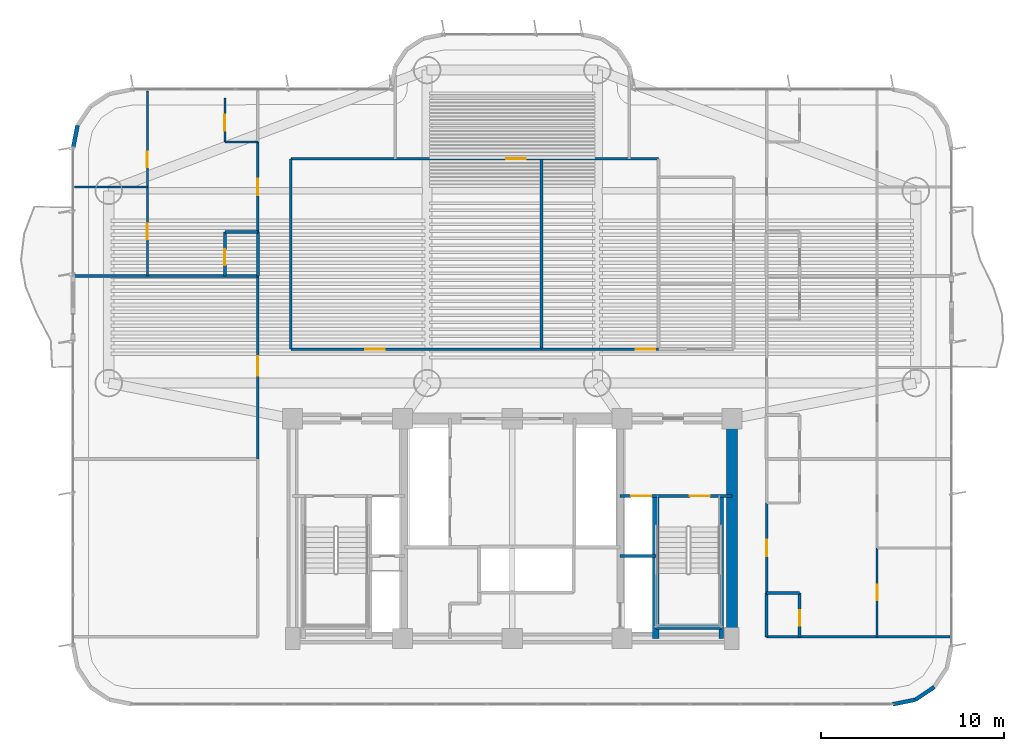
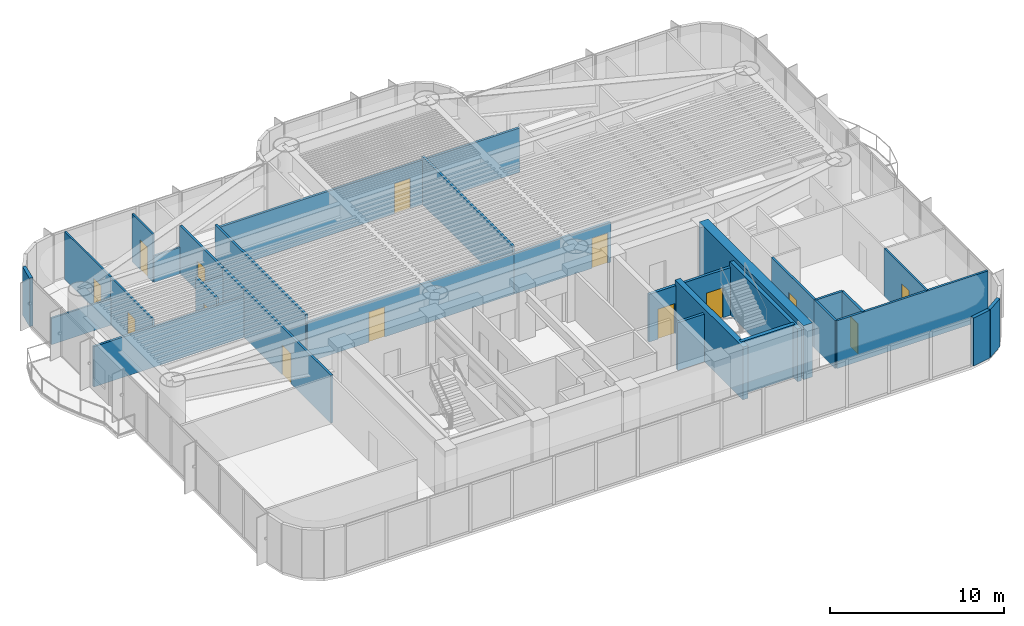
# One storey, part 10 of 17: 31 walls, 14 doors, 14 openings.
"""IFC4 building model written with IfcOpenShell, lengths in metres."""

from ifc_helpers import new_model, si_unit, direction, frame, frame_2d, origin, origin_2d, place, context, subcontext, project, spatial, rectangle, extrude, source, transform, mapped, material, layer, layer_set, type_object, element, fill, save


model = new_model("IFC4")

# Units and contexts
model_context = context("Model", 3, precision=1e-05, world=origin(), true_north=direction((0.0, 1.0)))
body_context = subcontext(model_context, "Body", "Model", "MODEL_VIEW")
ifc_project = project(units=[si_unit("LENGTHUNIT", "METRE"), si_unit("AREAUNIT", "SQUARE_METRE"), si_unit("VOLUMEUNIT", "CUBIC_METRE"), si_unit("PLANEANGLEUNIT", "RADIAN"), si_unit("MASSUNIT", "GRAM", prefix="KILO")], contexts=[model_context])

# Site, building, storey
site_placement = place(None, origin())
site = spatial("IfcSite", under=ifc_project, at=site_placement, CompositionType="ELEMENT")
building_placement = place(site_placement, origin())
building = spatial("IfcBuilding", under=site, at=building_placement, Name="Brelvock Crest Care Tower", CompositionType="ELEMENT")
storey_placement = place(building_placement, frame((0.0, 0.0, 76.139892578125)))
storey = spatial("IfcBuildingStorey", under=building, at=storey_placement, Name="L19", CompositionType="ELEMENT", Elevation=76.139892578125)

# Walls
ifc_material_1 = material(Name="Concrete S80 (80 MPa)", Category="concrete")
ifc_layer_1 = layer(ifc_material_1, 0.60009765625, Name="WL-CS1")
ifc_layer_set_1 = layer_set([ifc_layer_1], Name="Concrete S80 (80 MPa)")
wall_type_1 = type_object("IfcWallType", Name="WL-CS1", PredefinedType="SHEAR", material=ifc_layer_set_1)
wall_1_placement = place(storey_placement, frame((48.0, 18.0, 0.0), z_axis=(0.0, 0.0, 1.0), x_axis=(0.0, -1.0, 0.0)))
element("IfcWall", 1, at=wall_1_placement, inside=storey, type_object=wall_type_1, Name="L19 Core East Shear Wall", PredefinedType="SHEAR", context=body_context, shape_type="SweptSolid", body=[
    extrude(rectangle(XDim=12.0, YDim=0.60009765625, at=frame_2d((6.0, 0.0))), origin(), (0.0, 0.0, 1.0), 3.780029296875),
])
ifc_layer_2 = layer(ifc_material_1, 0.35009765625, Name="WL-CS5")
ifc_layer_set_2 = layer_set([ifc_layer_2], Name="Concrete S80 (80 MPa)")
wall_type_2 = type_object("IfcWallType", Name="WL-CS5", PredefinedType="SHEAR", material=ifc_layer_set_2)
wall_2_placement = place(storey_placement, frame((43.85009765625, 6.0, 0.0), z_axis=(0.0, 0.0, 1.0), x_axis=(0.0, 1.0, 0.0)))
element("IfcWall", 2, at=wall_2_placement, inside=storey, type_object=wall_type_2, Name="L19 Core Stair ST-2 West Shear Wall", PredefinedType="SHEAR", context=body_context, shape_type="SweptSolid", body=[
    extrude(rectangle(XDim=7.780029296875, YDim=0.35009765625, at=frame_2d((3.89013671875, 0.0))), origin(), (0.0, 0.0, 1.0), 3.692138671875),
])
ifc_layer_3 = layer(ifc_material_1, 0.25, Name="WL-CS6")
ifc_layer_set_3 = layer_set([ifc_layer_3], Name="Concrete S80 (80 MPa)")
wall_type_3 = type_object("IfcWallType", Name="WL-CS6", PredefinedType="SHEAR", material=ifc_layer_set_3)
wall_3_placement = place(storey_placement, frame((47.419921875, 6.0, 0.0), z_axis=(0.0, 0.0, 1.0), x_axis=(0.0, 1.0, 0.0)))
element("IfcWall", 3, at=wall_3_placement, inside=storey, type_object=wall_type_3, Name="L19 Core Stair ST-2 East Shear Wall", PredefinedType="SHEAR", context=body_context, shape_type="SweptSolid", body=[
    extrude(rectangle(XDim=7.780029296875, YDim=0.25, at=frame_2d((3.89013671875, 0.0))), origin(), (0.0, 0.0, 1.0), 3.692138671875),
])
wall_4_placement = place(storey_placement, frame((43.85009765625, 6.6201171875, 0.0), z_axis=(0.0, 0.0, 1.0), x_axis=(1.0, 0.0, 0.0)))
element("IfcWall", 4, at=wall_4_placement, inside=storey, type_object=wall_type_3, Name="L19 Core Stair ST-2 South Shear Wall", PredefinedType="SHEAR", context=body_context, shape_type="SweptSolid", body=[
    extrude(rectangle(XDim=3.56982421875, YDim=0.25, at=frame_2d((1.784912109375, 0.0))), origin(), (0.0, 0.0, 1.0), 3.692138671875),
])
ifc_material_2 = material(Name="Precast concrete N40 (40 MPa)", Category="concrete")
ifc_layer_4 = layer(ifc_material_2, 0.215087890625, Name="WL-EX2")
ifc_layer_set_4 = layer_set([ifc_layer_4], Name="Precast concrete N40 (40 MPa)")
wall_type_4 = type_object("IfcWallType", Name="WL-EX2", PredefinedType="SOLIDWALL", material=ifc_layer_set_4)
for number, where, z_axis, x_axis, name in (
    (5, (59.062744140625, 3.33740234375, 0.0), (0.0, 0.0, 1.0), (-0.831387912822, -0.555692485475, 0.0), "L19 Rounded Corner Wall 06"),
    (6, (58.024658203125, 2.6435546875, 0.0), (0.0, 0.0, 1.0), (-0.980775717779, -0.195138390419, 0.0), "L19 Rounded Corner Wall 07"),
    (7, (12.0, 32.800048828125, 0.0), (0.0, 0.0, 1.0), (0.195138390419, 0.980775717779, 0.0), "L19 Rounded Corner Wall 14"),
):
    element("IfcWall", number, at=place(storey_placement, frame(where, z_axis=z_axis, x_axis=x_axis)), inside=storey, type_object=wall_type_4, Name=name, PredefinedType="SOLIDWALL", context=body_context, shape_type="SweptSolid", body=[
        extrude(rectangle(XDim=1.24853515625, YDim=0.215087890625, at=frame_2d((0.624267578125, 0.0))), origin(), (0.0, 0.0, 1.0), 3.3720703125),
    ])
ifc_material_3 = material(Name="Masonry Blockwork Acoustic Partition", Category="masonry")
ifc_layer_5 = layer(ifc_material_3, 0.14990234375, Name="WL-INT1")
ifc_layer_set_5 = layer_set([ifc_layer_5], Name="Masonry Blockwork Acoustic Partition")
wall_type_5 = type_object("IfcWallType", Name="WL-INT1", PredefinedType="PARTITIONING", material=ifc_layer_set_5)
wall_5_placement = place(storey_placement, frame((49.89990234375, 6.080078125, 0.0), z_axis=(0.0, 0.0, 1.0), x_axis=(1.0, 0.0, 0.0)))
element("IfcWall", 8, at=wall_5_placement, inside=storey, type_object=wall_type_5, Name="L19 Interior Wall WL-BX-L19-FL-EW1-S", PredefinedType="PARTITIONING", context=body_context, shape_type="SweptSolid", body=[
    extrude(rectangle(XDim=10.02001953125, YDim=0.14990234375, at=frame_2d((5.010009765625, 0.0))), origin(), (0.0, 0.0, 1.0), 3.342041015625),
])

# Wall, opening, door
wall_6_placement = place(storey_placement, frame((23.89990234375, 21.800048828125, 0.0), z_axis=(0.0, 0.0, 1.0), x_axis=(1.0, 0.0, 0.0)))
wall_6 = element("IfcWall", 9, at=wall_6_placement, inside=storey, type_object=wall_type_5, Name="L19 Interior Wall WL-RM-L19-CNW", PredefinedType="PARTITIONING", context=body_context, shape_type="SweptSolid", body=[
    extrude(rectangle(XDim=13.7001953125, YDim=0.14990234375, at=frame_2d((6.85009765625, 0.0))), origin(), (0.0, 0.0, 1.0), 2.82421875),
])
opening_1_placement = place(wall_6_placement, frame((4.074951171875, 0.0, 0.0)))
opening_1 = element("IfcOpeningElement", 10, at=opening_1_placement, cuts=wall_6, Name="Opening CLD-1", PredefinedType="OPENING", context=body_context, shape_type="SweptSolid", body=[
    extrude(rectangle(XDim=1.050048828125, YDim=2.10009765625, at=origin_2d()), frame((0.52490234375, 0.0849609375, 1.050048828125), z_axis=(0.0, -1.0, 0.0), x_axis=(1.0, 0.0, 0.0)), (0.0, 0.0, 1.0), 0.169921875),
])
ifc_material_4 = material(Name="Engineered Hardwood Timber", Category="wood")
door_type_1 = type_object("IfcDoorType", Name="DR-CLN1", OperationType="NOTDEFINED", PredefinedType="DOOR", material=ifc_material_4)
shared_shape_1 = source(origin(), body_context, "Body", "SweptSolid", [
    extrude(rectangle(XDim=1.050048828125, YDim=2.10009765625, at=origin_2d()), frame((0.52490234375, 0.02490234375, 1.050048828125), z_axis=(0.0, -1.0, 0.0), x_axis=(1.0, 0.0, 0.0)), (0.0, 0.0, 1.0), 0.050048828125),
])
door_1_placement = place(opening_1_placement, origin())
door_1 = element("IfcDoor", 11, at=door_1_placement, inside=storey, type_object=door_type_1, Name="L19 Communal Dining Conservatory Door CNW", OperationType="SINGLE_SWING_LEFT", OverallHeight=2.10009765625, OverallWidth=1.050048828125, PredefinedType="DOOR", context=body_context, shape_type="MappedRepresentation", body=[
    mapped(shared_shape_1, transform((0.0, 0.0, 0.0), x_axis=(1.0, 0.0, 0.0), y_axis=(0.0, 1.0, 0.0), z_axis=(0.0, 0.0, 1.0), scale=1.0)),
])
fill(opening_1, door_1)

wall_7_placement = place(storey_placement, frame((37.60009765625, 21.800048828125, 0.0), z_axis=(0.0, 0.0, 1.0), x_axis=(1.0, 0.0, 0.0)))
wall_7 = element("IfcWall", 12, at=wall_7_placement, inside=storey, type_object=wall_type_5, Name="L19 Interior Wall WL-RM-L19-CNE", PredefinedType="PARTITIONING", context=body_context, shape_type="SweptSolid", body=[
    extrude(rectangle(XDim=6.39990234375, YDim=0.14990234375, at=frame_2d((3.199951171875, 0.0))), origin(), (0.0, 0.0, 1.0), 2.82421875),
])
opening_2_placement = place(wall_7_placement, frame((5.155029296875, 0.0, 0.0)))
opening_2 = element("IfcOpeningElement", 13, at=opening_2_placement, cuts=wall_7, Name="Opening CLD-1", PredefinedType="OPENING", context=body_context, shape_type="SweptSolid", body=[
    extrude(rectangle(XDim=1.050048828125, YDim=2.10009765625, at=origin_2d()), frame((0.52490234375, 0.0849609375, 1.050048828125), z_axis=(0.0, -1.0, 0.0), x_axis=(1.0, 0.0, 0.0)), (0.0, 0.0, 1.0), 0.169921875),
])
door_2_placement = place(opening_2_placement, origin())
door_2 = element("IfcDoor", 14, at=door_2_placement, inside=storey, type_object=door_type_1, Name="L19 Geriatric Nurse Consultation Hub Door CNE", OperationType="SINGLE_SWING_LEFT", OverallHeight=2.10009765625, OverallWidth=1.050048828125, PredefinedType="DOOR", context=body_context, shape_type="MappedRepresentation", body=[
    mapped(shared_shape_1, transform((0.0, 0.0, 0.0), x_axis=(1.0, 0.0, 0.0), y_axis=(0.0, 1.0, 0.0), z_axis=(0.0, 0.0, 1.0), scale=1.0)),
])
fill(opening_2, door_2)

# Wall
wall_8_placement = place(storey_placement, frame((12.080078125, 25.800048828125, 0.0), z_axis=(0.0, 0.0, 1.0), x_axis=(1.0, 0.0, 0.0)))
element("IfcWall", 15, at=wall_8_placement, inside=storey, type_object=wall_type_5, Name="L19 Interior Wall WL-BX-L19-FL-WW3-S", PredefinedType="PARTITIONING", context=body_context, shape_type="SweptSolid", body=[
    extrude(rectangle(XDim=10.02001953125, YDim=0.14990234375, at=frame_2d((5.010009765625, 0.0))), origin(), (0.0, 0.0, 1.0), 2.82421875),
])

# Wall, opening, door
wall_9_placement = place(storey_placement, frame((23.89990234375, 32.199951171875, 0.0), z_axis=(0.0, 0.0, 1.0), x_axis=(1.0, 0.0, 0.0)))
wall_9 = element("IfcWall", 16, at=wall_9_placement, inside=storey, type_object=wall_type_5, Name="L19 Interior Wall WL-RM-L19-NHUB", PredefinedType="PARTITIONING", context=body_context, shape_type="SweptSolid", body=[
    extrude(rectangle(XDim=20.10009765625, YDim=0.14990234375, at=frame_2d((10.050048828125, 0.0))), origin(), (0.0, 0.0, 1.0), 3.10107421875),
])
opening_3_placement = place(wall_9_placement, frame((11.77490234375, 0.0, 0.0)))
opening_3 = element("IfcOpeningElement", 17, at=opening_3_placement, cuts=wall_9, Name="Opening CLD-1", PredefinedType="OPENING", context=body_context, shape_type="SweptSolid", body=[
    extrude(rectangle(XDim=1.050048828125, YDim=2.10009765625, at=origin_2d()), frame((0.52490234375, 0.0849609375, 1.050048828125), z_axis=(0.0, -1.0, 0.0), x_axis=(1.0, 0.0, 0.0)), (0.0, 0.0, 1.0), 0.169921875),
])
door_3_placement = place(opening_3_placement, origin())
door_3 = element("IfcDoor", 18, at=door_3_placement, inside=storey, type_object=door_type_1, Name="L19 Harbour Wintergarden Lounge Door NHUB", OperationType="SINGLE_SWING_LEFT", OverallHeight=2.10009765625, OverallWidth=1.050048828125, PredefinedType="DOOR", context=body_context, shape_type="MappedRepresentation", body=[
    mapped(shared_shape_1, transform((0.0, 0.0, 0.0), x_axis=(1.0, 0.0, 0.0), y_axis=(0.0, 1.0, 0.0), z_axis=(0.0, 0.0, 1.0), scale=1.0)),
])
fill(opening_3, door_3)

wall_10_placement = place(storey_placement, frame((22.10009765625, 15.800048828125, 0.0), z_axis=(0.0, 0.0, 1.0), x_axis=(0.0, 1.0, 0.0)))
wall_10 = element("IfcWall", 19, at=wall_10_placement, inside=storey, type_object=wall_type_5, Name="L19 Interior Wall WL-RM-L19-WWC2", PredefinedType="PARTITIONING", context=body_context, shape_type="SweptSolid", body=[
    extrude(rectangle(XDim=10.0, YDim=0.14990234375, at=frame_2d((5.0, 0.0))), origin(), (0.0, 0.0, 1.0), 3.342041015625),
])
opening_4_placement = place(wall_10_placement, frame((4.554931640625, 0.0, 0.0)))
opening_4 = element("IfcOpeningElement", 20, at=opening_4_placement, cuts=wall_10, Name="Opening CLD-1", PredefinedType="OPENING", context=body_context, shape_type="SweptSolid", body=[
    extrude(rectangle(XDim=1.050048828125, YDim=2.10009765625, at=origin_2d()), frame((0.52490234375, 0.0849609375, 1.050048828125), z_axis=(0.0, -1.0, 0.0), x_axis=(1.0, 0.0, 0.0)), (0.0, 0.0, 1.0), 0.169921875),
])
door_4_placement = place(opening_4_placement, origin())
door_4 = element("IfcDoor", 21, at=door_4_placement, inside=storey, type_object=door_type_1, Name="L19 Geriatric Day Recovery Salon Door WWC2", OperationType="SINGLE_SWING_LEFT", OverallHeight=2.10009765625, OverallWidth=1.050048828125, PredefinedType="DOOR", context=body_context, shape_type="MappedRepresentation", body=[
    mapped(shared_shape_1, transform((0.0, 0.0, 0.0), x_axis=(1.0, 0.0, 0.0), y_axis=(0.0, 1.0, 0.0), z_axis=(0.0, 0.0, 1.0), scale=1.0)),
])
fill(opening_4, door_4)

wall_11_placement = place(storey_placement, frame((22.10009765625, 28.199951171875, 0.0), z_axis=(0.0, 0.0, 1.0), x_axis=(0.0, 1.0, 0.0)))
wall_11 = element("IfcWall", 22, at=wall_11_placement, inside=storey, type_object=wall_type_5, Name="L19 Interior Wall WL-UENT-L19-WW3", PredefinedType="PARTITIONING", context=body_context, shape_type="SweptSolid", body=[
    extrude(rectangle(XDim=4.920166015625, YDim=0.14990234375, at=frame_2d((2.4599609375, 0.0))), origin(), (0.0, 0.0, 1.0), 3.342041015625),
])
opening_5_placement = place(wall_11_placement, frame((2.0, 0.0, 0.0)))
opening_5 = element("IfcOpeningElement", 23, at=opening_5_placement, cuts=wall_11, Name="Opening AD-1", PredefinedType="OPENING", context=body_context, shape_type="SweptSolid", body=[
    extrude(rectangle(XDim=0.919921875, YDim=2.10009765625, at=origin_2d()), frame((0.4599609375, 0.0849609375, 1.050048828125), z_axis=(0.0, -1.0, 0.0), x_axis=(1.0, 0.0, 0.0)), (0.0, 0.0, 1.0), 0.169921875),
])
door_type_2 = type_object("IfcDoorType", Name="DR-APT1", OperationType="NOTDEFINED", PredefinedType="DOOR", material=ifc_material_4)
shared_shape_2 = source(origin(), body_context, "Body", "SweptSolid", [
    extrude(rectangle(XDim=0.919921875, YDim=2.10009765625, at=origin_2d()), frame((0.4599609375, 0.02490234375, 1.050048828125), z_axis=(0.0, -1.0, 0.0), x_axis=(1.0, 0.0, 0.0)), (0.0, 0.0, 1.0), 0.050048828125),
])
door_5_placement = place(opening_5_placement, origin())
door_5 = element("IfcDoor", 24, at=door_5_placement, inside=storey, type_object=door_type_2, Name="L19 Apartment Entrance WW3", OperationType="SINGLE_SWING_LEFT", OverallHeight=2.10009765625, OverallWidth=0.919921875, PredefinedType="DOOR", context=body_context, shape_type="MappedRepresentation", body=[
    mapped(shared_shape_2, transform((0.0, 0.0, 0.0), x_axis=(1.0, 0.0, 0.0), y_axis=(0.0, 1.0, 0.0), z_axis=(0.0, 0.0, 1.0), scale=1.0)),
])
fill(opening_5, door_5)

# Walls
for number, where, z_axis, x_axis, name in (
    (25, (23.89990234375, 21.800048828125, 0.0), (0.0, 0.0, 1.0), (0.0, 1.0, 0.0), "L19 Interior Wall WL-BX-L19-CNW-W"),
    (26, (37.60009765625, 21.800048828125, 0.0), (0.0, 0.0, 1.0), (0.0, 1.0, 0.0), "L19 Interior Wall WL-BX-L19-CNE-W"),
):
    element("IfcWall", number, at=place(storey_placement, frame(where, z_axis=z_axis, x_axis=x_axis)), inside=storey, type_object=wall_type_5, Name=name, PredefinedType="PARTITIONING", context=body_context, shape_type="SweptSolid", body=[
        extrude(rectangle(XDim=10.39990234375, YDim=0.14990234375, at=frame_2d((5.199951171875, 0.0))), origin(), (0.0, 0.0, 1.0), 3.342041015625),
    ])

# Wall, opening, door
wall_12_placement = place(storey_placement, frame((49.89990234375, 8.47998046875, 0.0), z_axis=(0.0, 0.0, 1.0), x_axis=(0.0, 1.0, 0.0)))
wall_12 = element("IfcWall", 27, at=wall_12_placement, inside=storey, type_object=wall_type_5, Name="L19 Interior Wall WL-UENT-L19-EW1", PredefinedType="PARTITIONING", context=body_context, shape_type="SweptSolid", body=[
    extrude(rectangle(XDim=4.919921875, YDim=0.14990234375, at=frame_2d((2.4599609375, 0.0))), origin(), (0.0, 0.0, 1.0), 3.342041015625),
])
opening_6_placement = place(wall_12_placement, frame((2.0, 0.0, 0.0)))
opening_6 = element("IfcOpeningElement", 28, at=opening_6_placement, cuts=wall_12, Name="Opening AD-1", PredefinedType="OPENING", context=body_context, shape_type="SweptSolid", body=[
    extrude(rectangle(XDim=0.919921875, YDim=2.10009765625, at=origin_2d()), frame((0.4599609375, 0.0849609375, 1.050048828125), z_axis=(0.0, -1.0, 0.0), x_axis=(1.0, 0.0, 0.0)), (0.0, 0.0, 1.0), 0.169921875),
])
door_6_placement = place(opening_6_placement, origin())
door_6 = element("IfcDoor", 29, at=door_6_placement, inside=storey, type_object=door_type_2, Name="L19 Apartment Entrance EW1", OperationType="SINGLE_SWING_LEFT", OverallHeight=2.10009765625, OverallWidth=0.919921875, PredefinedType="DOOR", context=body_context, shape_type="MappedRepresentation", body=[
    mapped(shared_shape_2, transform((0.0, 0.0, 0.0), x_axis=(1.0, 0.0, 0.0), y_axis=(0.0, 1.0, 0.0), z_axis=(0.0, 0.0, 1.0), scale=1.0)),
])
fill(opening_6, door_6)

# Walls
ifc_material_5 = material(Name="Gypsum Plasterboard Partition", Category="gypsum")
ifc_layer_6 = layer(ifc_material_5, 0.1201171875, Name="WL-INT2")
ifc_layer_set_6 = layer_set([ifc_layer_6], Name="Gypsum Plasterboard Partition")
wall_type_6 = type_object("IfcWallType", Name="WL-INT2", PredefinedType="PARTITIONING", material=ifc_layer_set_6)
wall_13_placement = place(storey_placement, frame((12.080078125, 30.659912109375, 0.0), z_axis=(0.0, 0.0, 1.0), x_axis=(1.0, 0.0, 0.0)))
element("IfcWall", 30, at=wall_13_placement, inside=storey, type_object=wall_type_6, Name="L19 Interior Wall WL-UBSP-L19-WW3", PredefinedType="PARTITIONING", context=body_context, shape_type="SweptSolid", body=[
    extrude(rectangle(XDim=3.98388671875, YDim=0.1201171875, at=frame_2d((1.991943359375, 0.0))), origin(), (0.0, 0.0, 1.0), 1.857177734375),
])
wall_14_placement = place(storey_placement, frame((20.300048828125, 33.1201171875, 0.0), z_axis=(0.0, 0.0, 1.0), x_axis=(1.0, 0.0, 0.0)))
element("IfcWall", 31, at=wall_14_placement, inside=storey, type_object=wall_type_6, Name="L19 Interior Wall WL-UKIT2-L19-WW3", PredefinedType="PARTITIONING", context=body_context, shape_type="SweptSolid", body=[
    extrude(rectangle(XDim=1.800048828125, YDim=0.1201171875, at=frame_2d((0.89990234375, 0.0))), origin(), (0.0, 0.0, 1.0), 1.857177734375),
])

# Wall, opening, door
wall_15_placement = place(storey_placement, frame((16.06396484375, 25.800048828125, 0.0), z_axis=(0.0, 0.0, 1.0), x_axis=(0.0, 1.0, 0.0)))
wall_15 = element("IfcWall", 32, at=wall_15_placement, inside=storey, type_object=wall_type_6, Name="L19 Interior Wall WL-UBD1-L19-WW3", PredefinedType="PARTITIONING", context=body_context, shape_type="SweptSolid", body=[
    extrude(rectangle(XDim=4.85986328125, YDim=0.1201171875, at=frame_2d((2.429931640625, 0.0))), origin(), (0.0, 0.0, 1.0), 3.342041015625),
])
opening_7_placement = place(wall_15_placement, frame((2.0, 0.0, 0.0)))
opening_7 = element("IfcOpeningElement", 33, at=opening_7_placement, cuts=wall_15, Name="Opening ID-1", PredefinedType="OPENING", context=body_context, shape_type="SweptSolid", body=[
    extrude(rectangle(XDim=0.860107421875, YDim=2.10009765625, at=origin_2d()), frame((0.43017578125, 0.070068359375, 1.050048828125), z_axis=(0.0, -1.0, 0.0), x_axis=(1.0, 0.0, 0.0)), (0.0, 0.0, 1.0), 0.14013671875),
])
door_type_3 = type_object("IfcDoorType", Name="DR-INT1", OperationType="NOTDEFINED", PredefinedType="DOOR", material=ifc_material_4)
shared_shape_3 = source(origin(), body_context, "Body", "SweptSolid", [
    extrude(rectangle(XDim=0.860107421875, YDim=2.10009765625, at=origin_2d()), frame((0.43017578125, 0.02490234375, 1.050048828125), z_axis=(0.0, -1.0, 0.0), x_axis=(1.0, 0.0, 0.0)), (0.0, 0.0, 1.0), 0.050048828125),
])
door_7_placement = place(opening_7_placement, origin())
door_7 = element("IfcDoor", 34, at=door_7_placement, inside=storey, type_object=door_type_3, Name="L19 Primary Bedroom Door WW3", OperationType="SINGLE_SWING_RIGHT", OverallHeight=2.10009765625, OverallWidth=0.860107421875, PredefinedType="DOOR", context=body_context, shape_type="MappedRepresentation", body=[
    mapped(shared_shape_3, transform((0.0, 0.0, 0.0), x_axis=(1.0, 0.0, 0.0), y_axis=(0.0, 1.0, 0.0), z_axis=(0.0, 0.0, 1.0), scale=1.0)),
])
fill(opening_7, door_7)

wall_16_placement = place(storey_placement, frame((16.06396484375, 30.659912109375, 0.0), z_axis=(0.0, 0.0, 1.0), x_axis=(0.0, 1.0, 0.0)))
wall_16 = element("IfcWall", 35, at=wall_16_placement, inside=storey, type_object=wall_type_6, Name="L19 Interior Wall WL-UBD2-L19-WW3", PredefinedType="PARTITIONING", context=body_context, shape_type="SweptSolid", body=[
    extrude(rectangle(XDim=5.26025390625, YDim=0.1201171875, at=frame_2d((2.630126953125, 0.0))), origin(), (0.0, 0.0, 1.0), 3.342041015625),
])
opening_8_placement = place(wall_16_placement, frame((1.080078125, 0.0, 0.0)))
opening_8 = element("IfcOpeningElement", 36, at=opening_8_placement, cuts=wall_16, Name="Opening ID-1", PredefinedType="OPENING", context=body_context, shape_type="SweptSolid", body=[
    extrude(rectangle(XDim=0.860107421875, YDim=2.10009765625, at=origin_2d()), frame((0.43017578125, 0.070068359375, 1.050048828125), z_axis=(0.0, -1.0, 0.0), x_axis=(1.0, 0.0, 0.0)), (0.0, 0.0, 1.0), 0.14013671875),
])
door_8_placement = place(opening_8_placement, origin())
door_8 = element("IfcDoor", 37, at=door_8_placement, inside=storey, type_object=door_type_3, Name="L19 Second Room Door WW3", OperationType="SINGLE_SWING_LEFT", OverallHeight=2.10009765625, OverallWidth=0.860107421875, PredefinedType="DOOR", context=body_context, shape_type="MappedRepresentation", body=[
    mapped(shared_shape_3, transform((0.0, 0.0, 0.0), x_axis=(1.0, 0.0, 0.0), y_axis=(0.0, 1.0, 0.0), z_axis=(0.0, 0.0, 1.0), scale=1.0)),
])
fill(opening_8, door_8)

wall_17_placement = place(storey_placement, frame((20.300048828125, 33.1201171875, 0.0), z_axis=(0.0, 0.0, 1.0), x_axis=(0.0, 1.0, 0.0)))
wall_17 = element("IfcWall", 38, at=wall_17_placement, inside=storey, type_object=wall_type_6, Name="L19 Interior Wall WL-UKIT1-L19-WW3", PredefinedType="PARTITIONING", context=body_context, shape_type="SweptSolid", body=[
    extrude(rectangle(XDim=2.39990234375, YDim=0.1201171875, at=frame_2d((1.199951171875, 0.0))), origin(), (0.0, 0.0, 1.0), 3.342041015625),
])
opening_9_placement = place(wall_17_placement, frame((0.6201171875, 0.0, 0.0)))
opening_9 = element("IfcOpeningElement", 39, at=opening_9_placement, cuts=wall_17, Name="Opening ID-1", PredefinedType="OPENING", context=body_context, shape_type="SweptSolid", body=[
    extrude(rectangle(XDim=0.860107421875, YDim=2.10009765625, at=origin_2d()), frame((0.43017578125, 0.070068359375, 1.050048828125), z_axis=(0.0, -1.0, 0.0), x_axis=(1.0, 0.0, 0.0)), (0.0, 0.0, 1.0), 0.14013671875),
])
door_9_placement = place(opening_9_placement, origin())
door_9 = element("IfcDoor", 40, at=door_9_placement, inside=storey, type_object=door_type_3, Name="L19 Kitchen Door WW3", OperationType="SINGLE_SWING_LEFT", OverallHeight=2.10009765625, OverallWidth=0.860107421875, PredefinedType="DOOR", context=body_context, shape_type="MappedRepresentation", body=[
    mapped(shared_shape_3, transform((0.0, 0.0, 0.0), x_axis=(1.0, 0.0, 0.0), y_axis=(0.0, 1.0, 0.0), z_axis=(0.0, 0.0, 1.0), scale=1.0)),
])
fill(opening_9, door_9)

wall_18_placement = place(storey_placement, frame((55.93603515625, 6.080078125, 0.0), z_axis=(0.0, 0.0, 1.0), x_axis=(0.0, 1.0, 0.0)))
wall_18 = element("IfcWall", 41, at=wall_18_placement, inside=storey, type_object=wall_type_6, Name="L19 Interior Wall WL-UBD1-L19-EW1", PredefinedType="PARTITIONING", context=body_context, shape_type="SweptSolid", body=[
    extrude(rectangle(XDim=4.85986328125, YDim=0.1201171875, at=frame_2d((2.429931640625, 0.0))), origin(), (0.0, 0.0, 1.0), 3.342041015625),
])
opening_10_placement = place(wall_18_placement, frame((2.0, 0.0, 0.0)))
opening_10 = element("IfcOpeningElement", 42, at=opening_10_placement, cuts=wall_18, Name="Opening ID-1", PredefinedType="OPENING", context=body_context, shape_type="SweptSolid", body=[
    extrude(rectangle(XDim=0.860107421875, YDim=2.10009765625, at=origin_2d()), frame((0.43017578125, 0.070068359375, 1.050048828125), z_axis=(0.0, -1.0, 0.0), x_axis=(1.0, 0.0, 0.0)), (0.0, 0.0, 1.0), 0.14013671875),
])
door_10_placement = place(opening_10_placement, origin())
door_10 = element("IfcDoor", 43, at=door_10_placement, inside=storey, type_object=door_type_3, Name="L19 Primary Bedroom Door EW1", OperationType="SINGLE_SWING_RIGHT", OverallHeight=2.10009765625, OverallWidth=0.860107421875, PredefinedType="DOOR", context=body_context, shape_type="MappedRepresentation", body=[
    mapped(shared_shape_3, transform((0.0, 0.0, 0.0), x_axis=(1.0, 0.0, 0.0), y_axis=(0.0, 1.0, 0.0), z_axis=(0.0, 0.0, 1.0), scale=1.0)),
])
fill(opening_10, door_10)

# Walls
ifc_layer_7 = layer(ifc_material_5, 0.159912109375, Name="WL-PLM1")
ifc_layer_set_7 = layer_set([ifc_layer_7], Name="Gypsum Plasterboard Partition")
wall_type_7 = type_object("IfcWallType", Name="WL-PLM1", PredefinedType="PLUMBINGWALL", material=ifc_layer_set_7)
wall_19_placement = place(storey_placement, frame((49.89990234375, 8.47998046875, 0.0), z_axis=(0.0, 0.0, 1.0), x_axis=(1.0, 0.0, 0.0)))
element("IfcWall", 44, at=wall_19_placement, inside=storey, type_object=wall_type_7, Name="L19 Interior Wall WL-UBTH2-L19-EW1", PredefinedType="PLUMBINGWALL", context=body_context, shape_type="SweptSolid", body=[
    extrude(rectangle(XDim=1.800048828125, YDim=0.159912109375, at=frame_2d((0.89990234375, 0.0))), origin(), (0.0, 0.0, 1.0), 3.342041015625),
])
wall_20_placement = place(storey_placement, frame((20.300048828125, 28.199951171875, 0.0), z_axis=(0.0, 0.0, 1.0), x_axis=(1.0, 0.0, 0.0)))
element("IfcWall", 45, at=wall_20_placement, inside=storey, type_object=wall_type_7, Name="L19 Interior Wall WL-UBTH2-L19-WW3", PredefinedType="PLUMBINGWALL", context=body_context, shape_type="SweptSolid", body=[
    extrude(rectangle(XDim=1.800048828125, YDim=0.159912109375, at=frame_2d((0.89990234375, 0.0))), origin(), (0.0, 0.0, 1.0), 2.82421875),
])

# Wall, opening, door
wall_21_placement = place(storey_placement, frame((20.300048828125, 25.800048828125, 0.0), z_axis=(0.0, 0.0, 1.0), x_axis=(0.0, 1.0, 0.0)))
wall_21 = element("IfcWall", 46, at=wall_21_placement, inside=storey, type_object=wall_type_7, Name="L19 Interior Wall WL-UBTH1-L19-WW3", PredefinedType="PLUMBINGWALL", context=body_context, shape_type="SweptSolid", body=[
    extrude(rectangle(XDim=2.39990234375, YDim=0.159912109375, at=frame_2d((1.199951171875, 0.0))), origin(), (0.0, 0.0, 1.0), 3.342041015625),
])
opening_11_placement = place(wall_21_placement, frame((0.60009765625, 0.0, 0.0)))
opening_11 = element("IfcOpeningElement", 47, at=opening_11_placement, cuts=wall_21, Name="Opening WD-1", PredefinedType="OPENING", context=body_context, shape_type="SweptSolid", body=[
    extrude(rectangle(XDim=0.860107421875, YDim=2.10009765625, at=origin_2d()), frame((0.43017578125, 0.08984375, 1.050048828125), z_axis=(0.0, -1.0, 0.0), x_axis=(1.0, 0.0, 0.0)), (0.0, 0.0, 1.0), 0.179931640625),
])
door_type_4 = type_object("IfcDoorType", Name="DR-WC1", OperationType="NOTDEFINED", PredefinedType="DOOR", material=ifc_material_4)
shared_shape_4 = source(origin(), body_context, "Body", "SweptSolid", [
    extrude(rectangle(XDim=0.860107421875, YDim=2.10009765625, at=origin_2d()), frame((0.43017578125, 0.02490234375, 1.050048828125), z_axis=(0.0, -1.0, 0.0), x_axis=(1.0, 0.0, 0.0)), (0.0, 0.0, 1.0), 0.050048828125),
])
door_11_placement = place(opening_11_placement, origin())
door_11 = element("IfcDoor", 48, at=door_11_placement, inside=storey, type_object=door_type_4, Name="L19 Bathroom Door WW3", OperationType="SINGLE_SWING_LEFT", OverallHeight=2.10009765625, OverallWidth=0.860107421875, PredefinedType="DOOR", context=body_context, shape_type="MappedRepresentation", body=[
    mapped(shared_shape_4, transform((0.0, 0.0, 0.0), x_axis=(1.0, 0.0, 0.0), y_axis=(0.0, 1.0, 0.0), z_axis=(0.0, 0.0, 1.0), scale=1.0)),
])
fill(opening_11, door_11)

# Walls
for number, where, z_axis, x_axis, name in (
    (49, (22.10009765625, 25.800048828125, 0.0), (0.0, 0.0, 1.0), (0.0, 1.0, 0.0), "L19 Interior Wall WL-UCB-L19-WW3"),
    (50, (49.89990234375, 6.080078125, 0.0), (0.0, 0.0, 1.0), (0.0, 1.0, 0.0), "L19 Interior Wall WL-UCB-L19-EW1"),
):
    element("IfcWall", number, at=place(storey_placement, frame(where, z_axis=z_axis, x_axis=x_axis)), inside=storey, type_object=wall_type_7, Name=name, PredefinedType="PLUMBINGWALL", context=body_context, shape_type="SweptSolid", body=[
        extrude(rectangle(XDim=2.39990234375, YDim=0.159912109375, at=frame_2d((1.199951171875, 0.0))), origin(), (0.0, 0.0, 1.0), 3.342041015625),
    ])

# Wall, opening, door
wall_22_placement = place(storey_placement, frame((51.699951171875, 6.080078125, 0.0), z_axis=(0.0, 0.0, 1.0), x_axis=(0.0, 1.0, 0.0)))
wall_22 = element("IfcWall", 51, at=wall_22_placement, inside=storey, type_object=wall_type_7, Name="L19 Interior Wall WL-UBTH1-L19-EW1", PredefinedType="PLUMBINGWALL", context=body_context, shape_type="SweptSolid", body=[
    extrude(rectangle(XDim=2.39990234375, YDim=0.159912109375, at=frame_2d((1.199951171875, 0.0))), origin(), (0.0, 0.0, 1.0), 3.342041015625),
])
opening_12_placement = place(wall_22_placement, frame((0.60009765625, 0.0, 0.0)))
opening_12 = element("IfcOpeningElement", 52, at=opening_12_placement, cuts=wall_22, Name="Opening WD-1", PredefinedType="OPENING", context=body_context, shape_type="SweptSolid", body=[
    extrude(rectangle(XDim=0.860107421875, YDim=2.10009765625, at=origin_2d()), frame((0.43017578125, 0.08984375, 1.050048828125), z_axis=(0.0, -1.0, 0.0), x_axis=(1.0, 0.0, 0.0)), (0.0, 0.0, 1.0), 0.179931640625),
])
door_12_placement = place(opening_12_placement, origin())
door_12 = element("IfcDoor", 53, at=door_12_placement, inside=storey, type_object=door_type_4, Name="L19 Bathroom Door EW1", OperationType="SINGLE_SWING_LEFT", OverallHeight=2.10009765625, OverallWidth=0.860107421875, PredefinedType="DOOR", context=body_context, shape_type="MappedRepresentation", body=[
    mapped(shared_shape_4, transform((0.0, 0.0, 0.0), x_axis=(1.0, 0.0, 0.0), y_axis=(0.0, 1.0, 0.0), z_axis=(0.0, 0.0, 1.0), scale=1.0)),
])
fill(opening_12, door_12)

# Wall, openings, doors
ifc_layer_8 = layer(ifc_material_3, 0.179931640625, Name="WL-SHF1")
ifc_layer_set_8 = layer_set([ifc_layer_8], Name="Masonry Blockwork Acoustic Partition")
wall_type_8 = type_object("IfcWallType", Name="WL-SHF1", PredefinedType="PARTITIONING", material=ifc_layer_set_8)
wall_23_placement = place(storey_placement, frame((41.89990234375, 13.780029296875, 0.0), z_axis=(0.0, 0.0, 1.0), x_axis=(1.0, 0.0, 0.0)))
wall_23 = element("IfcWall", 54, at=wall_23_placement, inside=storey, type_object=wall_type_8, Name="L19 Interior Wall WL-ST2-N-L19", PredefinedType="PARTITIONING", context=body_context, shape_type="SweptSolid", body=[
    extrude(rectangle(XDim=6.10009765625, YDim=0.179931640625, at=frame_2d((3.050048828125, 0.0))), origin(), (0.0, 0.0, 1.0), 3.342041015625),
])
opening_13_placement = place(wall_23_placement, frame((0.60009765625, 0.0, 0.0)))
opening_13 = element("IfcOpeningElement", 55, at=opening_13_placement, cuts=wall_23, Name="Opening LD", PredefinedType="OPENING", context=body_context, shape_type="SweptSolid", body=[
    extrude(rectangle(XDim=1.10009765625, YDim=2.10009765625, at=origin_2d()), frame((0.550048828125, 0.10009765625, 1.050048828125), z_axis=(0.0, -1.0, 0.0), x_axis=(1.0, 0.0, 0.0)), (0.0, 0.0, 1.0), 0.199951171875),
])
opening_14_placement = place(wall_23_placement, frame((3.800048828125, 0.0, 0.0)))
opening_14 = element("IfcOpeningElement", 56, at=opening_14_placement, cuts=wall_23, Name="Opening SD-1", PredefinedType="OPENING", context=body_context, shape_type="SweptSolid", body=[
    extrude(rectangle(XDim=1.10009765625, YDim=2.10009765625, at=origin_2d()), frame((0.550048828125, 0.10009765625, 1.050048828125), z_axis=(0.0, -1.0, 0.0), x_axis=(1.0, 0.0, 0.0)), (0.0, 0.0, 1.0), 0.199951171875),
])
ifc_material_6 = material(Name="Steel Grade 350", Category="steel")
door_type_5 = type_object("IfcDoorType", Name="DR-ST1", OperationType="NOTDEFINED", PredefinedType="DOOR", material=ifc_material_6)
shared_shape_5 = source(origin(), body_context, "Body", "SweptSolid", [
    extrude(rectangle(XDim=1.10009765625, YDim=2.10009765625, at=origin_2d()), frame((0.550048828125, 0.02490234375, 1.050048828125), z_axis=(0.0, -1.0, 0.0), x_axis=(1.0, 0.0, 0.0)), (0.0, 0.0, 1.0), 0.050048828125),
])
door_13_placement = place(opening_14_placement, origin())
door_13 = element("IfcDoor", 57, at=door_13_placement, inside=storey, type_object=door_type_5, Name="L19 Fire Stair ST-2 Door", OperationType="SINGLE_SWING_RIGHT", OverallHeight=2.10009765625, OverallWidth=1.10009765625, PredefinedType="DOOR", context=body_context, shape_type="MappedRepresentation", body=[
    mapped(shared_shape_5, transform((0.0, 0.0, 0.0), x_axis=(1.0, 0.0, 0.0), y_axis=(0.0, 1.0, 0.0), z_axis=(0.0, 0.0, 1.0), scale=1.0)),
])
fill(opening_14, door_13)
door_type_6 = type_object("IfcDoorType", Name="DR-LD1", OperationType="NOTDEFINED", PredefinedType="DOOR", material=ifc_material_6)
shared_shape_6 = source(origin(), body_context, "Body", "SweptSolid", [
    extrude(rectangle(XDim=1.10009765625, YDim=2.10009765625, at=origin_2d()), frame((0.550048828125, 0.02490234375, 1.050048828125), z_axis=(0.0, -1.0, 0.0), x_axis=(1.0, 0.0, 0.0)), (0.0, 0.0, 1.0), 0.050048828125),
])
door_14_placement = place(opening_13_placement, origin())
door_14 = element("IfcDoor", 58, at=door_14_placement, inside=storey, type_object=door_type_6, Name="L19 Firefighting Lift FFL-2 Landing Door", OperationType="SLIDING_TO_RIGHT", OverallHeight=2.10009765625, OverallWidth=1.10009765625, PredefinedType="DOOR", context=body_context, shape_type="MappedRepresentation", body=[
    mapped(shared_shape_6, transform((0.0, 0.0, 0.0), x_axis=(1.0, 0.0, 0.0), y_axis=(0.0, 1.0, 0.0), z_axis=(0.0, 0.0, 1.0), scale=1.0)),
])
fill(opening_13, door_14)

# Wall
wall_24_placement = place(storey_placement, frame((41.89990234375, 10.5, 0.0), z_axis=(0.0, 0.0, 1.0), x_axis=(1.0, 0.0, 0.0)))
element("IfcWall", 59, at=wall_24_placement, inside=storey, type_object=wall_type_8, Name="L19 Interior Wall WL-FFH2-S-L19", PredefinedType="PARTITIONING", context=body_context, shape_type="SweptSolid", body=[
    extrude(rectangle(XDim=1.9501953125, YDim=0.179931640625, at=frame_2d((0.97509765625, 0.0))), origin(), (0.0, 0.0, 1.0), 3.342041015625),
])

save(model, "model.ifc")
